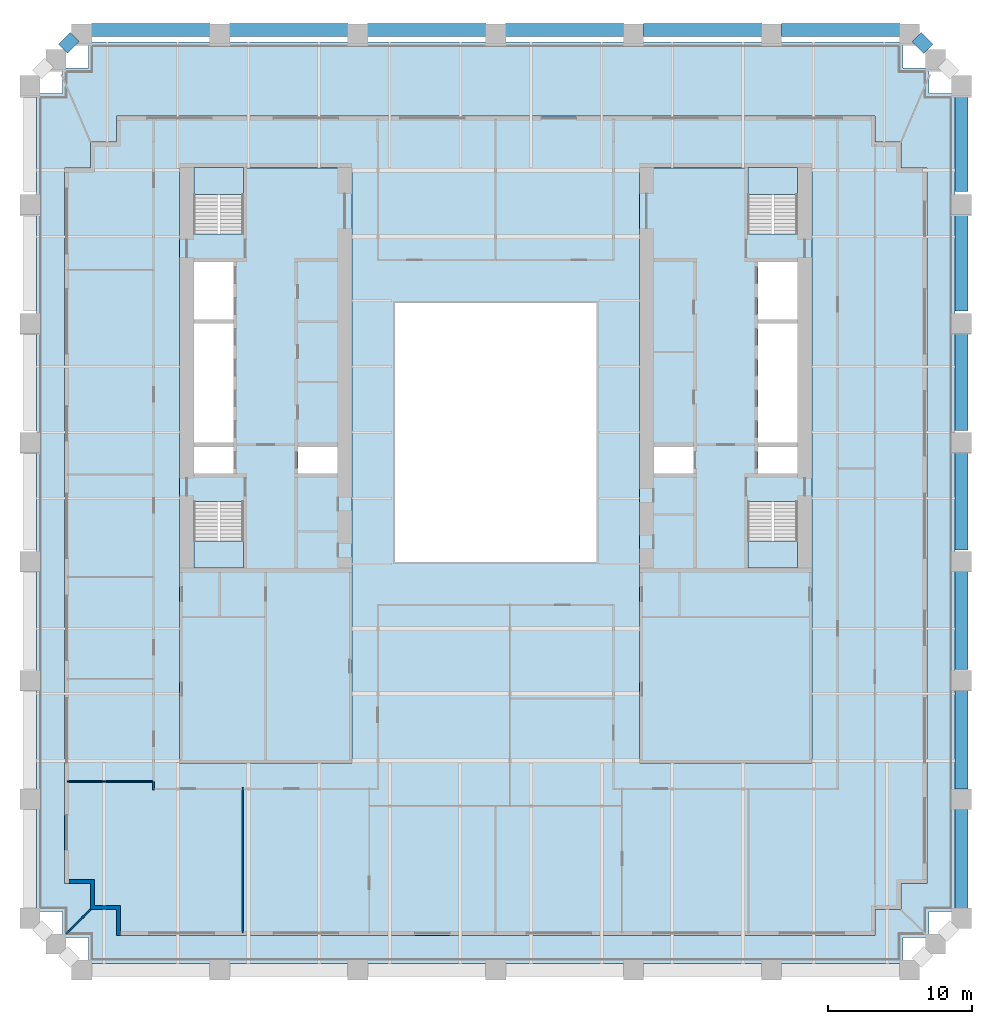
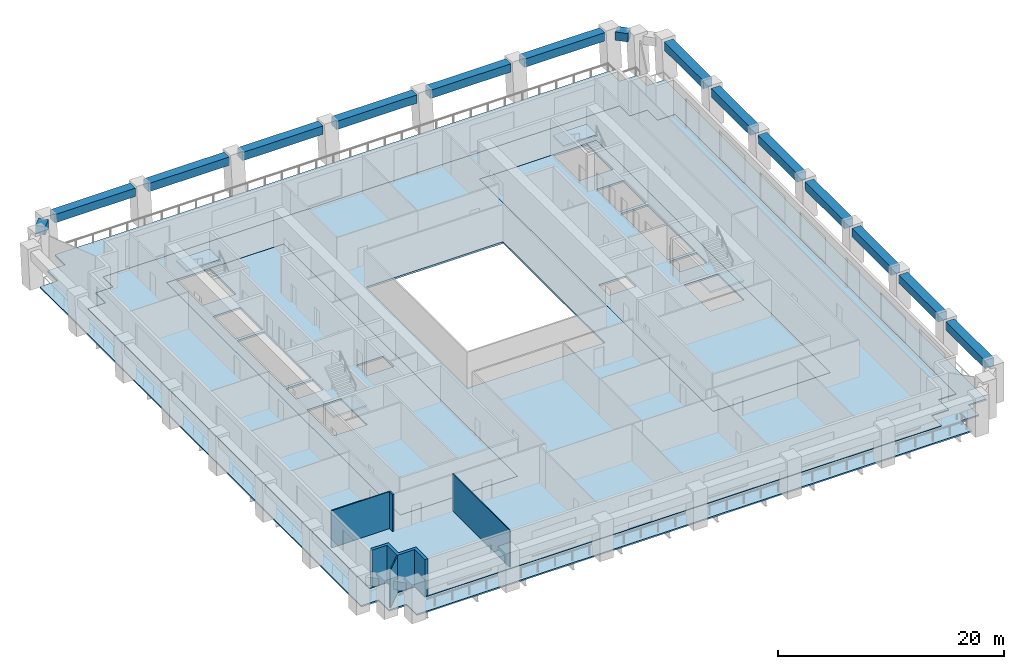
# One storey, part 2 of 9: 15 beams, 8 slabs, 5 walls, 4 elements without a shape of their own.
"""IFC4 building model written with IfcOpenShell, lengths in metres."""

from ifc_helpers import new_model, si_unit, direction, frame, frame_2d, origin, origin_2d, place, context, subcontext, project, spatial, polyline, rectangle, outline, extrude, material, layer, layer_set, material_profile, profile_set, type_object, element, aggregate, save


model = new_model("IFC4")

# Units and contexts
model_context = context("Model", 3, precision=1e-05, world=origin(), true_north=direction((0.0, 1.0)))
body_context = subcontext(model_context, "Body", "Model", "MODEL_VIEW")
ifc_project = project(units=[si_unit("LENGTHUNIT", "METRE"), si_unit("AREAUNIT", "SQUARE_METRE"), si_unit("VOLUMEUNIT", "CUBIC_METRE"), si_unit("PLANEANGLEUNIT", "RADIAN"), si_unit("MASSUNIT", "GRAM", prefix="KILO")], contexts=[model_context])

# Site, building, storey
site_placement = place(None, origin())
site = spatial("IfcSite", under=ifc_project, at=site_placement, CompositionType="ELEMENT")
building_placement = place(site_placement, origin())
building = spatial("IfcBuilding", under=site, at=building_placement, Name="Ogive Exchange Tower", CompositionType="ELEMENT")
storey_placement = place(building_placement, frame((0.0, 0.0, 69.0)))
storey = spatial("IfcBuildingStorey", under=building, at=storey_placement, Name="L14", CompositionType="ELEMENT", Elevation=69.0)

# Beams
ifc_material_1 = material(Name="Precast concrete C70/85 (limestone faced)", Category="masonry")
ifc_material_profile = material_profile(ifc_material_1, rectangle(XDim=0.89990234375, YDim=0.89990234375, at=origin_2d()), Name="900 x 900")
ifc_profile_set = profile_set([ifc_material_profile], Name="Precast concrete C70/85 (limestone faced)")
beam_type = type_object("IfcBeamType", Name="Precast spandrel 900 x 900 C70/85", PredefinedType="SPANDREL", material=ifc_profile_set)
for number, where, z_axis, x_axis, name in (
    (1, (32.39990234375, -26.1201171875, 3.5), (0.0, 1.0, 0.0), (-1.0, 0.0, 0.0), "Spandrel 9"),
    (2, (32.39990234375, -17.8056640625, 3.5), (0.0, 1.0, 0.0), (-1.0, 0.0, 0.0), "Spandrel 10"),
    (3, (32.39990234375, -9.491455078125, 3.5), (0.0, 1.0, 0.0), (-1.0, 0.0, 0.0), "Spandrel 11"),
):
    element("IfcBeam", number, at=place(storey_placement, frame(where, z_axis=z_axis, x_axis=x_axis)), inside=storey, type_object=beam_type, Name=name, PredefinedType="SPANDREL", context=body_context, shape_type="SweptSolid", body=[
        extrude(rectangle(XDim=0.89990234375, YDim=0.89990234375, at=origin_2d()), origin(), (0.0, 0.0, 1.0), 6.954345703125),
    ])
for number, where, z_axis, x_axis, name in (
    (4, (32.39990234375, -1.177001953125, 3.5), (0.0, 1.0, 0.0), (-1.0, 0.0, 0.0), "Spandrel 12"),
    (5, (32.39990234375, 7.13720703125, 3.5), (0.0, 1.0, 0.0), (-1.0, 0.0, 0.0), "Spandrel 13"),
):
    element("IfcBeam", number, at=place(storey_placement, frame(where, z_axis=z_axis, x_axis=x_axis)), inside=storey, type_object=beam_type, Name=name, PredefinedType="SPANDREL", context=body_context, shape_type="SweptSolid", body=[
        extrude(rectangle(XDim=0.89990234375, YDim=0.89990234375, at=origin_2d()), origin(), (0.0, 0.0, 1.0), 6.9541015625),
    ])
for number, where, z_axis, x_axis, name in (
    (6, (32.39990234375, 15.451416015625, 3.5), (0.0, 1.0, 0.0), (-1.0, 0.0, 0.0), "Spandrel 14"),
    (7, (32.39990234375, 23.765625, 3.5), (0.0, 1.0, 0.0), (-1.0, 0.0, 0.0), "Spandrel 15"),
):
    element("IfcBeam", number, at=place(storey_placement, frame(where, z_axis=z_axis, x_axis=x_axis)), inside=storey, type_object=beam_type, Name=name, PredefinedType="SPANDREL", context=body_context, shape_type="SweptSolid", body=[
        extrude(rectangle(XDim=0.89990234375, YDim=0.89990234375, at=origin_2d()), origin(), (0.0, 0.0, 1.0), 6.954345703125),
    ])
beam_1_placement = place(storey_placement, frame((30.112060546875, 33.68798828125, 3.5), z_axis=(-0.707106781187, 0.707106781187, 0.0), x_axis=(-0.707106781187, -0.707106781187, 0.0)))
element("IfcBeam", 8, at=beam_1_placement, inside=storey, type_object=beam_type, Name="Spandrel 17", PredefinedType="SPANDREL", context=body_context, shape_type="SweptSolid", body=[
    extrude(rectangle(XDim=0.89990234375, YDim=0.89990234375, at=origin_2d()), origin(), (0.0, 0.0, 1.0), 1.16552734375),
])
beam_2_placement = place(storey_placement, frame((28.1201171875, 35.0, 3.5), z_axis=(-1.0, 0.0, 0.0), x_axis=(0.0, -1.0, 0.0)))
element("IfcBeam", 9, at=beam_2_placement, inside=storey, type_object=beam_type, Name="Spandrel 18", PredefinedType="SPANDREL", context=body_context, shape_type="SweptSolid", body=[
    extrude(rectangle(XDim=0.89990234375, YDim=0.89990234375, at=origin_2d()), origin(), (0.0, 0.0, 1.0), 8.240234375),
])
for number, where, z_axis, x_axis, name in (
    (10, (18.52001953125, 35.0, 3.5), (-1.0, 0.0, 0.0), (0.0, -1.0, 0.0), "Spandrel 19"),
    (11, (8.919921875, 35.0, 3.5), (-1.0, 0.0, 0.0), (0.0, -1.0, 0.0), "Spandrel 20"),
    (12, (-0.679931640625, 35.0, 3.5), (-1.0, 0.0, 0.0), (0.0, -1.0, 0.0), "Spandrel 21"),
    (13, (-10.280029296875, 35.0, 3.5), (-1.0, 0.0, 0.0), (0.0, -1.0, 0.0), "Spandrel 22"),
):
    element("IfcBeam", number, at=place(storey_placement, frame(where, z_axis=z_axis, x_axis=x_axis)), inside=storey, type_object=beam_type, Name=name, PredefinedType="SPANDREL", context=body_context, shape_type="SweptSolid", body=[
        extrude(rectangle(XDim=0.89990234375, YDim=0.89990234375, at=origin_2d()), origin(), (0.0, 0.0, 1.0), 8.239990234375),
    ])
beam_3_placement = place(storey_placement, frame((-19.8798828125, 35.0, 3.5), z_axis=(-1.0, 0.0, 0.0), x_axis=(0.0, -1.0, 0.0)))
element("IfcBeam", 14, at=beam_3_placement, inside=storey, type_object=beam_type, Name="Spandrel 23", PredefinedType="SPANDREL", context=body_context, shape_type="SweptSolid", body=[
    extrude(rectangle(XDim=0.89990234375, YDim=0.89990234375, at=origin_2d()), origin(), (0.0, 0.0, 1.0), 8.240234375),
])
beam_4_placement = place(storey_placement, frame((-29.287841796875, 34.51220703125, 3.5), z_axis=(-0.707106781187, -0.707106781187, 0.0), x_axis=(0.707106781187, -0.707106781187, 0.0)))
element("IfcBeam", 15, at=beam_4_placement, inside=storey, type_object=beam_type, Name="Spandrel 24", PredefinedType="SPANDREL", context=body_context, shape_type="SweptSolid", body=[
    extrude(rectangle(XDim=0.89990234375, YDim=0.89990234375, at=origin_2d()), origin(), (0.0, 0.0, 1.0), 1.16552734375),
])

# Slabs
ifc_material_2 = material(Name="Concrete C50/60", Category="concrete")
ifc_layer_1 = layer(ifc_material_2, 0.199951171875)
ifc_layer_set_1 = layer_set([ifc_layer_1], Name="Composite floor slab 200")
slab_type_1 = type_object("IfcSlabType", Name="Composite floor slab 200", PredefinedType="FLOOR", material=ifc_layer_set_1)
slab_1_placement = place(storey_placement, frame((0.0, 0.0, -0.199951171875)))
element("IfcSlab", 16, at=slab_1_placement, inside=storey, type_object=slab_type_1, Name="Composite floor slab", PredefinedType="FLOOR", context=body_context, shape_type="SweptSolid", body=[
    extrude(outline(polyline([(-26.39990234375, -26.199951171875), (-28.199951171875, -26.199951171875), (-28.199951171875, -24.39990234375), (-30.0, -24.39990234375), (-30.0, 25.39990234375), (-28.199951171875, 25.39990234375), (-28.199951171875, 27.199951171875), (-26.39990234375, 27.199951171875), (-26.39990234375, 29.0), (26.39990234375, 29.0), (26.39990234375, 27.199951171875), (28.199951171875, 27.199951171875), (28.199951171875, 25.39990234375), (30.0, 25.39990234375), (30.0, -24.39990234375), (28.199951171875, -24.39990234375), (28.199951171875, -26.199951171875), (26.39990234375, -26.199951171875), (26.39990234375, -28.0), (-26.39990234375, -28.0), (-26.39990234375, -26.199951171875)]), holes=[polyline([(-10.0, -16.0), (-10.0, 25.39990234375), (-22.0, 25.39990234375), (-22.0, -16.0), (-10.0, -16.0)]), polyline([(10.0, -16.0), (22.0, -16.0), (22.0, 25.39990234375), (10.0, 25.39990234375), (10.0, -16.0)]), polyline([(-7.0, -2.0), (7.0, -2.0), (7.0, 16.0), (-7.0, 16.0), (-7.0, -2.0)])]), origin(), (0.0, 0.0, 1.0), 0.199951171875),
])
ifc_material_3 = material(Name="Concrete C70/85", Category="concrete")
ifc_layer_2 = layer(ifc_material_3, 0.199951171875)
ifc_layer_set_2 = layer_set([ifc_layer_2], Name="Core floor slab 200")
slab_type_2 = type_object("IfcSlabType", Name="Core floor slab 200", PredefinedType="FLOOR", material=ifc_layer_set_2)
slab_2_placement = place(storey_placement, frame((0.0, 0.0, -0.199951171875)))
element("IfcSlab", 17, at=slab_2_placement, inside=storey, type_object=slab_type_2, Name="Core floor slab", PredefinedType="FLOOR", context=body_context, shape_type="SweptSolid", body=[
    extrude(outline(polyline([(-10.0, 25.39990234375), (-10.0, -16.0), (-22.0, -16.0), (-22.0, 25.39990234375), (-21.0, 25.39990234375), (-21.0, 20.803955078125), (-17.550048828125, 20.803955078125), (-17.550048828125, 25.39990234375), (-10.0, 25.39990234375)]), holes=[polyline([(-17.550048828125, 2.196044921875), (-21.0, 2.196044921875), (-21.0, -2.449951171875), (-17.550048828125, -2.449951171875), (-17.550048828125, 2.196044921875)]), polyline([(-18.25, 5.992919921875), (-21.0, 5.992919921875), (-21.0, 4.14990234375), (-18.25, 4.14990234375), (-18.25, 5.992919921875)]), polyline([(-11.0, 5.992919921875), (-13.75, 5.992919921875), (-13.75, 4.14990234375), (-11.0, 4.14990234375), (-11.0, 5.992919921875)]), polyline([(-21.0, 14.564208984375), (-21.0, 6.29296875), (-18.25, 6.29296875), (-18.25, 14.564208984375), (-21.0, 14.564208984375)]), polyline([(-18.25, 18.85009765625), (-21.0, 18.85009765625), (-21.0, 14.8642578125), (-18.25, 14.8642578125), (-18.25, 18.85009765625)])]), origin(), (0.0, 0.0, 1.0), 0.199951171875),
])
slab_3_placement = place(storey_placement, frame((0.0, 0.0, -0.199951171875)))
element("IfcSlab", 18, at=slab_3_placement, inside=storey, type_object=slab_type_2, Name="Core floor slab", PredefinedType="FLOOR", context=body_context, shape_type="SweptSolid", body=[
    extrude(outline(polyline([(22.0, 25.39990234375), (22.0, -16.0), (10.0, -16.0), (10.0, 25.39990234375), (17.550048828125, 25.39990234375), (17.550048828125, 20.803955078125), (21.0, 20.803955078125), (21.0, 25.39990234375), (22.0, 25.39990234375)]), holes=[polyline([(21.0, 2.196044921875), (17.550048828125, 2.196044921875), (17.550048828125, -2.449951171875), (21.0, -2.449951171875), (21.0, 2.196044921875)]), polyline([(13.75, 5.992919921875), (11.0, 5.992919921875), (11.0, 4.14990234375), (13.75, 4.14990234375), (13.75, 5.992919921875)]), polyline([(21.0, 5.992919921875), (18.25, 5.992919921875), (18.25, 4.14990234375), (21.0, 4.14990234375), (21.0, 5.992919921875)]), polyline([(18.25, 14.564208984375), (18.25, 6.29296875), (21.0, 6.29296875), (21.0, 14.564208984375), (18.25, 14.564208984375)]), polyline([(21.0, 18.85009765625), (18.25, 18.85009765625), (18.25, 14.8642578125), (21.0, 14.8642578125), (21.0, 18.85009765625)])]), origin(), (0.0, 0.0, 1.0), 0.199951171875),
])
ifc_layer_3 = layer(ifc_material_2, 0.14990234375)
ifc_layer_set_3 = layer_set([ifc_layer_3], Name="Loggia deck 150")
slab_type_3 = type_object("IfcSlabType", Name="Loggia deck 150", PredefinedType="FLOOR", material=ifc_layer_set_3)
slab_4_placement = place(storey_placement, frame((0.0, 0.0, -0.199951171875)))
element("IfcSlab", 19, at=slab_4_placement, inside=storey, type_object=slab_type_3, Name="Loggia deck", PredefinedType="FLOOR", context=body_context, shape_type="SweptSolid", body=[
    extrude(outline(polyline([(-28.35009765625, -28.14990234375), (-30.14990234375, -28.14990234375), (-30.14990234375, -26.35009765625), (-31.949951171875, -26.35009765625), (-31.949951171875, 30.568115234375), (-30.14990234375, 30.568115234375), (-30.14990234375, 32.3681640625), (-28.35009765625, 32.3681640625), (-28.35009765625, 34.168212890625), (28.35009765625, 34.168212890625), (28.35009765625, 32.3681640625), (30.14990234375, 32.3681640625), (30.14990234375, 30.568115234375), (31.949951171875, 30.568115234375), (31.949951171875, -26.35009765625), (30.14990234375, -26.35009765625), (30.14990234375, -28.14990234375), (28.35009765625, -28.14990234375), (28.35009765625, -29.949951171875), (-28.35009765625, -29.949951171875), (-28.35009765625, -28.14990234375)]), holes=[polyline([(26.39990234375, -26.199951171875), (28.199951171875, -26.199951171875), (28.199951171875, -24.39990234375), (30.0, -24.39990234375), (30.0, 25.39990234375), (28.199951171875, 25.39990234375), (28.199951171875, 27.199951171875), (26.39990234375, 27.199951171875), (26.39990234375, 29.0), (-26.39990234375, 29.0), (-26.39990234375, 27.199951171875), (-28.199951171875, 27.199951171875), (-28.199951171875, 25.39990234375), (-30.0, 25.39990234375), (-30.0, -24.39990234375), (-28.199951171875, -24.39990234375), (-28.199951171875, -26.199951171875), (-26.39990234375, -26.199951171875), (-26.39990234375, -28.0), (26.39990234375, -28.0), (26.39990234375, -26.199951171875)])]), origin(), (0.0, 0.0, 1.0), 0.14990234375),
])

# Stair, slab
ifc_material_4 = material(Name="Concrete C40/50", Category="concrete")
stair_type = type_object("IfcStairType", Name="Exit stair 1650 wide", PredefinedType="HALF_TURN_STAIR", material=ifc_material_4)
stair_1_placement = place(storey_placement, origin())
stair_1 = element("IfcStair", 20, at=stair_1_placement, inside=storey, type_object=stair_type, Name="L14 exit stair ST1", PredefinedType="HALF_TURN_STAIR")
ifc_layer_4 = layer(ifc_material_4, 0.199951171875)
ifc_layer_set_4 = layer_set([ifc_layer_4], Name="Stair landing 200 slab")
slab_type_4 = type_object("IfcSlabType", Name="Stair landing 200 slab", PredefinedType="LANDING", material=ifc_layer_set_4)
slab_5_placement = place(storey_placement, frame((0.0, 0.0, 1.89990234375)))
slab_5 = element("IfcSlab", 21, at=slab_5_placement, type_object=slab_type_4, Name="ST1 landing 1", PredefinedType="LANDING", context=body_context, shape_type="SweptSolid", body=[
    extrude(outline(polyline([(-21.0, -0.550048828125), (-21.0, -2.449951171875), (-17.550048828125, -2.449951171875), (-17.550048828125, -0.550048828125), (-21.0, -0.550048828125)])), origin(), (0.0, 0.0, 1.0), 0.2001953125),
])
aggregate(stair_1, [slab_5])

stair_2_placement = place(storey_placement, origin())
stair_2 = element("IfcStair", 22, at=stair_2_placement, inside=storey, type_object=stair_type, Name="L14 exit stair ST2", PredefinedType="HALF_TURN_STAIR")
slab_6_placement = place(storey_placement, frame((0.0, 0.0, 1.89990234375)))
slab_6 = element("IfcSlab", 23, at=slab_6_placement, type_object=slab_type_4, Name="ST2 landing 1", PredefinedType="LANDING", context=body_context, shape_type="SweptSolid", body=[
    extrude(outline(polyline([(-17.550048828125, 23.550048828125), (-17.550048828125, 25.449951171875), (-21.0, 25.449951171875), (-21.0, 23.550048828125), (-17.550048828125, 23.550048828125)])), origin(), (0.0, 0.0, 1.0), 0.2001953125),
])
aggregate(stair_2, [slab_6])

stair_3_placement = place(storey_placement, origin())
stair_3 = element("IfcStair", 24, at=stair_3_placement, inside=storey, type_object=stair_type, Name="L14 exit stair ST3", PredefinedType="HALF_TURN_STAIR")
slab_7_placement = place(storey_placement, frame((0.0, 0.0, 1.89990234375)))
slab_7 = element("IfcSlab", 25, at=slab_7_placement, type_object=slab_type_4, Name="ST3 landing 1", PredefinedType="LANDING", context=body_context, shape_type="SweptSolid", body=[
    extrude(outline(polyline([(17.550048828125, -0.550048828125), (17.550048828125, -2.449951171875), (21.0, -2.449951171875), (21.0, -0.550048828125), (17.550048828125, -0.550048828125)])), origin(), (0.0, 0.0, 1.0), 0.2001953125),
])
aggregate(stair_3, [slab_7])

stair_4_placement = place(storey_placement, origin())
stair_4 = element("IfcStair", 26, at=stair_4_placement, inside=storey, type_object=stair_type, Name="L14 exit stair ST4", PredefinedType="HALF_TURN_STAIR")
slab_8_placement = place(storey_placement, frame((0.0, 0.0, 1.89990234375)))
slab_8 = element("IfcSlab", 27, at=slab_8_placement, type_object=slab_type_4, Name="ST4 landing 1", PredefinedType="LANDING", context=body_context, shape_type="SweptSolid", body=[
    extrude(outline(polyline([(21.0, 23.550048828125), (21.0, 25.449951171875), (17.550048828125, 25.449951171875), (17.550048828125, 23.550048828125), (21.0, 23.550048828125)])), origin(), (0.0, 0.0, 1.0), 0.2001953125),
])
aggregate(stair_4, [slab_8])

# Walls
ifc_material_5 = material(Name="Fire partition EI 60 150")
ifc_layer_5 = layer(ifc_material_5, 0.14990234375)
ifc_layer_set_5 = layer_set([ifc_layer_5], Name="Fire partition EI 60 150")
wall_type_1 = type_object("IfcWallType", Name="Fire partition EI 60 150", PredefinedType="PARTITIONING", material=ifc_layer_set_5)
wall_1_placement = place(storey_placement, frame((-23.800048828125, -17.875, 0.0), z_axis=(0.0, 0.0, 1.0), x_axis=(0.0, 1.0, 0.0)))
element("IfcWall", 28, at=wall_1_placement, inside=storey, type_object=wall_type_1, Name="L14-PWL-001", PredefinedType="PARTITIONING", context=body_context, shape_type="SweptSolid", body=[
    extrude(rectangle(XDim=0.5849609375, YDim=0.14990234375, at=frame_2d((0.29248046875, 0.0))), origin(), (0.0, 0.0, 1.0), 4.0),
])
ifc_material_6 = material(Name="Precast concrete C40/50", Category="concrete")
ifc_layer_6 = layer(ifc_material_6, 0.300048828125)
ifc_layer_set_6 = layer_set([ifc_layer_6], Name="Limestone-faced wall 300")
wall_type_2 = type_object("IfcWallType", Name="Limestone-faced wall 300", PredefinedType="STANDARD", material=ifc_layer_set_6)
wall_2_placement = place(storey_placement, origin())
element("IfcWall", 29, at=wall_2_placement, inside=storey, type_object=wall_type_2, Name="External corner wall C4", PredefinedType="STANDARD", context=body_context, shape_type="SweptSolid", body=[
    extrude(outline(polyline([(-26.39990234375, -26.199951171875), (-28.199951171875, -26.199951171875), (-28.199951171875, -24.39990234375), (-29.699951171875, -24.39990234375), (-29.699951171875, -24.10009765625), (-27.89990234375, -24.10009765625), (-27.89990234375, -25.89990234375), (-26.10009765625, -25.89990234375), (-26.10009765625, -28.0), (-26.39990234375, -28.0), (-26.39990234375, -26.199951171875)])), origin(), (0.0, 0.0, 1.0), 4.0),
])
ifc_material_7 = material(Name="Laminated safety glass in steel frame", Category="steel")
ifc_layer_7 = layer(ifc_material_7, 0.10009765625)
ifc_layer_set_7 = layer_set([ifc_layer_7], Name="Loggia end screen 100")
wall_type_3 = type_object("IfcWallType", Name="Loggia end screen 100", PredefinedType="STANDARD", material=ifc_layer_set_7)
wall_3_placement = place(storey_placement, frame((-28.199951171875, -26.199951171875, -0.050048828125), z_axis=(0.0, 0.0, 1.0), x_axis=(-0.707106781187, -0.707106781187, 0.0)))
element("IfcWall", 30, at=wall_3_placement, inside=storey, type_object=wall_type_3, Name="Loggia end screen C4", PredefinedType="STANDARD", context=body_context, shape_type="SweptSolid", body=[
    extrude(rectangle(XDim=2.384521484375, YDim=0.10009765625, at=frame_2d((1.1923828125, 0.0))), origin(), (0.0, 0.0, 1.0), 4.050048828125),
])
ifc_material_8 = material(Name="Partition 100 gypsum")
ifc_layer_8 = layer(ifc_material_8, 0.10009765625)
ifc_layer_set_8 = layer_set([ifc_layer_8], Name="Partition 100 gypsum")
wall_type_4 = type_object("IfcWallType", Name="Partition 100 gypsum", PredefinedType="PARTITIONING", material=ifc_layer_set_8)
wall_4_placement = place(storey_placement, frame((-23.875, -17.2900390625, 0.0), z_axis=(0.0, 0.0, 1.0), x_axis=(-1.0, 0.0, 0.0)))
element("IfcWall", 31, at=wall_4_placement, inside=storey, type_object=wall_type_4, Name="L14-PWL-002", PredefinedType="PARTITIONING", context=body_context, shape_type="SweptSolid", body=[
    extrude(rectangle(XDim=5.925048828125, YDim=0.10009765625, at=frame_2d((2.96240234375, 0.0))), origin(), (0.0, 0.0, 1.0), 4.0),
])
wall_5_placement = place(storey_placement, frame((-17.60009765625, -27.800048828125, 0.0), z_axis=(0.0, 0.0, 1.0), x_axis=(0.0, 1.0, 0.0)))
element("IfcWall", 32, at=wall_5_placement, inside=storey, type_object=wall_type_4, Name="L14-PWL-013", PredefinedType="PARTITIONING", context=body_context, shape_type="SweptSolid", body=[
    extrude(rectangle(XDim=10.074951171875, YDim=0.10009765625, at=frame_2d((5.03759765625, 0.0))), origin(), (0.0, 0.0, 1.0), 4.0),
])

save(model, "model.ifc")
